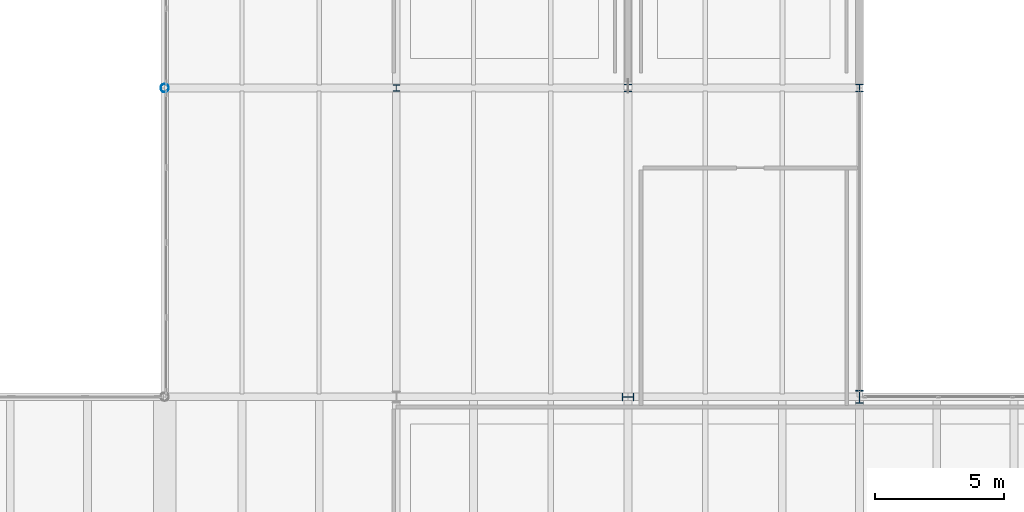
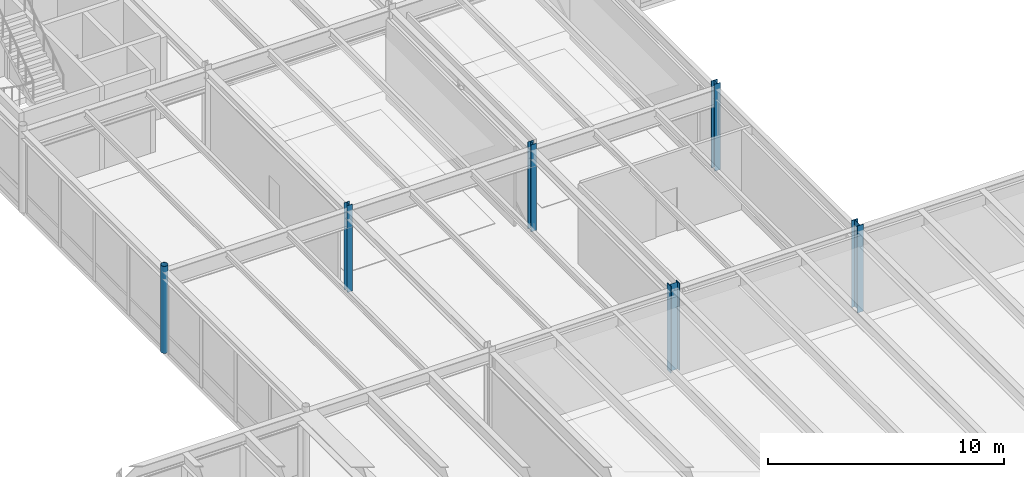
# One storey, part 7 of 127: 6 columns.
"""IFC4 building model written with IfcOpenShell, lengths in metres."""

from ifc_helpers import new_model, si_unit, direction, frame, origin, origin_2d, place, context, subcontext, project, spatial, hollow_circle, i_section, extrude, material, material_profile, profile_set, type_object, element, save


model = new_model("IFC4")

# Units and contexts
model_context = context("Model", 3, precision=1e-05, world=origin(), true_north=direction((0.0, 1.0)))
body_context = subcontext(model_context, "Body", "Model", "MODEL_VIEW")
ifc_project = project(units=[si_unit("LENGTHUNIT", "METRE"), si_unit("AREAUNIT", "SQUARE_METRE"), si_unit("VOLUMEUNIT", "CUBIC_METRE"), si_unit("PLANEANGLEUNIT", "RADIAN"), si_unit("MASSUNIT", "GRAM", prefix="KILO")], contexts=[model_context])

# Site, building, storey
site_placement = place(None, origin())
site = spatial("IfcSite", under=ifc_project, at=site_placement, CompositionType="ELEMENT")
building_placement = place(site_placement, origin())
building = spatial("IfcBuilding", under=site, at=building_placement, Name="Montelvaro Courts of Justice", CompositionType="ELEMENT")
storey_placement = place(building_placement, frame((0.0, 0.0, 5.39990234375)))
storey = spatial("IfcBuildingStorey", under=building, at=storey_placement, Name="L01", CompositionType="ELEMENT", Elevation=5.39990234375)

# Columns
ifc_material = material(Name="Steel S355", Category="steel")
ifc_material_profile_1 = material_profile(ifc_material, hollow_circle(Radius=0.161865234375, WallThickness=0.012451171875, at=origin_2d()), Name="CHS 323.9x12.5")
ifc_profile_set_1 = profile_set([ifc_material_profile_1], Name="Steel S355")
column_type_1 = type_object("IfcColumnType", Name="Col_CHS324", PredefinedType="PILASTER", material=ifc_profile_set_1)
column_1_placement = place(storey_placement, frame((99.0, 54.0, 0.0), z_axis=(0.0, 0.0, 1.0), x_axis=(1.0, 0.0, 0.0)))
element("IfcColumn", 1, at=column_1_placement, inside=storey, type_object=column_type_1, Name="Column C-18 L01 12/E", PredefinedType="PILASTER", context=body_context, shape_type="SweptSolid", body=[
    extrude(hollow_circle(Radius=0.161865234375, WallThickness=0.012451171875, at=origin_2d()), origin(), (0.0, 0.0, 1.0), 4.5),
])
ifc_material_profile_2 = material_profile(ifc_material, i_section(OverallWidth=0.260009765625, OverallDepth=0.260009765625, WebThickness=0.010009765625, FlangeThickness=0.017578125, at=origin_2d()), Name="HEB 260")
ifc_profile_set_2 = profile_set([ifc_material_profile_2], Name="Steel S355")
column_type_2 = type_object("IfcColumnType", Name="Col_HEB260", PredefinedType="COLUMN", material=ifc_profile_set_2)
column_2_placement = place(storey_placement, frame((108.0, 54.0, 0.0), z_axis=(0.0, 0.0, 1.0), x_axis=(1.0, 0.0, 0.0)))
element("IfcColumn", 2, at=column_2_placement, inside=storey, type_object=column_type_2, Name="Column C-01 L01 13/E", PredefinedType="COLUMN", context=body_context, shape_type="SweptSolid", body=[
    extrude(i_section(OverallWidth=0.260009765625, OverallDepth=0.260009765625, WebThickness=0.010009765625, FlangeThickness=0.017578125, at=origin_2d()), origin(), (0.0, 0.0, 1.0), 4.5),
])
ifc_material_profile_3 = material_profile(ifc_material, i_section(OverallWidth=0.280029296875, OverallDepth=0.280029296875, WebThickness=0.010498046875, FlangeThickness=0.01806640625, at=origin_2d()), Name="HEB 280")
ifc_profile_set_3 = profile_set([ifc_material_profile_3], Name="Steel S355")
column_type_3 = type_object("IfcColumnType", Name="Col_HEB280", PredefinedType="COLUMN", material=ifc_profile_set_3)
column_3_placement = place(storey_placement, frame((117.0, 54.0, 0.0), z_axis=(0.0, 0.0, 1.0), x_axis=(1.0, 0.0, 0.0)))
element("IfcColumn", 3, at=column_3_placement, inside=storey, type_object=column_type_3, Name="Column C-02 L01 14/E", PredefinedType="COLUMN", context=body_context, shape_type="SweptSolid", body=[
    extrude(i_section(OverallWidth=0.280029296875, OverallDepth=0.280029296875, WebThickness=0.010498046875, FlangeThickness=0.01806640625, at=origin_2d()), origin(), (0.0, 0.0, 1.0), 4.5),
])
ifc_material_profile_4 = material_profile(ifc_material, i_section(OverallWidth=0.300048828125, OverallDepth=0.300048828125, WebThickness=0.010986328125, FlangeThickness=0.01904296875, at=origin_2d()), Name="HEB 300")
ifc_profile_set_4 = profile_set([ifc_material_profile_4], Name="Steel S355")
column_type_4 = type_object("IfcColumnType", Name="Col_HEB300", PredefinedType="COLUMN", material=ifc_profile_set_4)
column_4_placement = place(storey_placement, frame((126.0, 54.0, 0.0), z_axis=(0.0, 0.0, 1.0), x_axis=(1.0, 0.0, 0.0)))
element("IfcColumn", 4, at=column_4_placement, inside=storey, type_object=column_type_4, Name="Column C-03 L01 15/E", PredefinedType="COLUMN", context=body_context, shape_type="SweptSolid", body=[
    extrude(i_section(OverallWidth=0.300048828125, OverallDepth=0.300048828125, WebThickness=0.010986328125, FlangeThickness=0.01904296875, at=origin_2d()), origin(), (0.0, 0.0, 1.0), 4.5),
])
ifc_material_profile_5 = material_profile(ifc_material, i_section(OverallWidth=0.300048828125, OverallDepth=0.449951171875, WebThickness=0.013916015625, FlangeThickness=0.02587890625, at=origin_2d()), Name="HEB 450")
ifc_profile_set_5 = profile_set([ifc_material_profile_5], Name="Steel S355")
column_type_5 = type_object("IfcColumnType", Name="Col_HEB450", PredefinedType="COLUMN", material=ifc_profile_set_5)
column_5_placement = place(storey_placement, frame((117.0, 42.0, 0.0), z_axis=(0.0, 0.0, 1.0), x_axis=(0.0, 1.0, 0.0)))
element("IfcColumn", 5, at=column_5_placement, inside=storey, type_object=column_type_5, Name="Column C-08 L01 14/D", PredefinedType="COLUMN", context=body_context, shape_type="SweptSolid", body=[
    extrude(i_section(OverallWidth=0.300048828125, OverallDepth=0.449951171875, WebThickness=0.013916015625, FlangeThickness=0.02587890625, at=origin_2d()), origin(), (0.0, 0.0, 1.0), 4.5),
])
ifc_material_profile_6 = material_profile(ifc_material, i_section(OverallWidth=0.300048828125, OverallDepth=0.5, WebThickness=0.014404296875, FlangeThickness=0.028076171875, at=origin_2d()), Name="HEB 500")
ifc_profile_set_6 = profile_set([ifc_material_profile_6], Name="Steel S355")
column_type_6 = type_object("IfcColumnType", Name="Col_HEB500", PredefinedType="COLUMN", material=ifc_profile_set_6)
column_6_placement = place(storey_placement, frame((126.0, 42.0, 0.0), z_axis=(0.0, 0.0, 1.0), x_axis=(1.0, 0.0, 0.0)))
element("IfcColumn", 6, at=column_6_placement, inside=storey, type_object=column_type_6, Name="Column C-09 L01 15/D", PredefinedType="COLUMN", context=body_context, shape_type="SweptSolid", body=[
    extrude(i_section(OverallWidth=0.300048828125, OverallDepth=0.5, WebThickness=0.014404296875, FlangeThickness=0.028076171875, at=origin_2d()), origin(), (0.0, 0.0, 1.0), 4.5),
])

save(model, "model.ifc")
